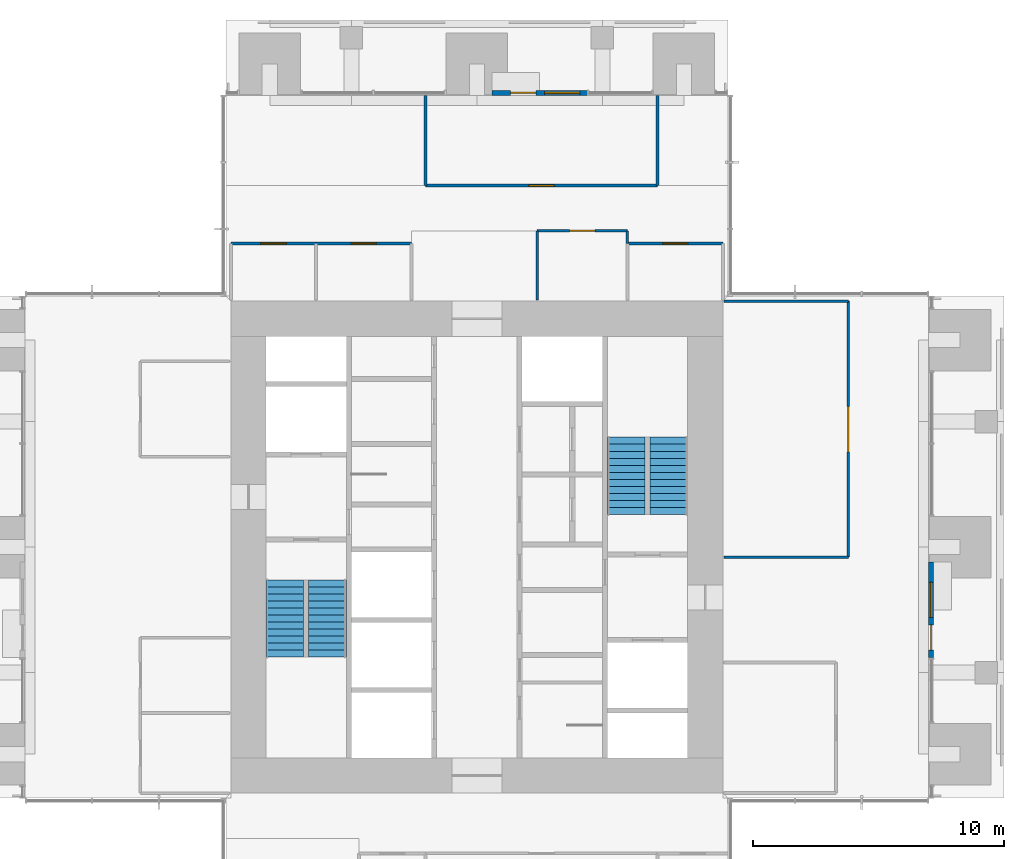
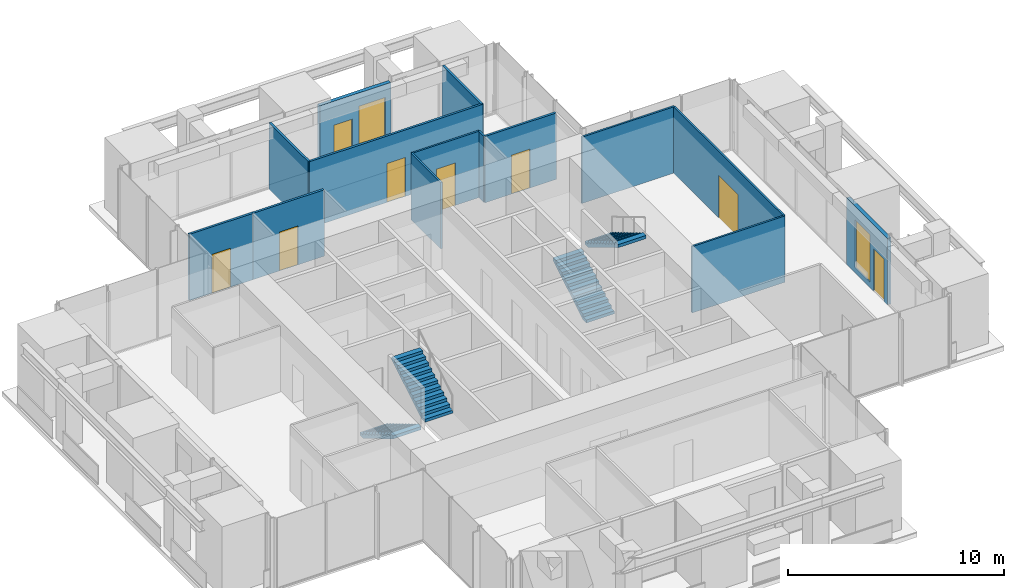
# One storey, part 14 of 17: 14 walls, 8 doors, 4 stair flights, 2 windows, 10 openings, 2 elements without a shape of their own.
"""IFC4 building model written with IfcOpenShell, lengths in metres."""

import ifcopenshell
import ifcopenshell.guid

model = None  # the IFC model being written
_history = None  # IfcOwnerHistory: only IFC2X3 demands one
_inside = {}  # id of a spatial element -> (the spatial element, [elements in it])
_under = {}  # id of a project, library or spatial element -> (it, [spatial elements below it])
_declared = {}  # id of a project -> (the project, [libraries it declares])
_typed = {}  # id of a type object -> (the type object, [elements of that type])
_made_of = {}  # id of a material, layer set ... -> (it, [elements and type objects made of it])


def new_model(schema):
    """Start an empty IFC model of exactly this schema.

    Asked for "IFC4X3", IfcOpenShell would pick the latest addendum, in which some entities
    have other attributes; the version numbers below select the first issue.
    IFC2X3 requires an IfcOwnerHistory on every rooted entity: one is made here for all.
    """
    global model, _history
    if schema == "IFC4X3":
        model = ifcopenshell.file(schema_version=(4, 3, 0, 0))
    else:
        model = ifcopenshell.file(schema=schema)
    _inside.clear()
    _under.clear()
    _declared.clear()
    _typed.clear()
    _made_of.clear()
    _history = None
    if model.schema == "IFC2X3":
        org = make("IfcOrganization", Name="unknown")
        user = make(
            "IfcPersonAndOrganization",
            ThePerson=make("IfcPerson", FamilyName="unknown"),
            TheOrganization=org,
        )
        app = make(
            "IfcApplication",
            ApplicationDeveloper=org,
            Version="unknown",
            ApplicationFullName="unknown",
            ApplicationIdentifier="unknown",
        )
        _history = make(
            "IfcOwnerHistory",
            OwningUser=user,
            OwningApplication=app,
            ChangeAction="ADDED",
            CreationDate=0,
        )
    return model


def make(cls, **values):
    """One entity of the class cls with the attributes given. An attribute that is None is left unset."""
    return model.create_entity(
        cls, **{name: value for name, value in values.items() if value is not None}
    )


def rooted(cls, **values):
    """An entity with a GlobalId (a new one), such as an element, a storey or a relation."""
    return make(cls, GlobalId=ifcopenshell.guid.new(), OwnerHistory=_history, **values)


def si_unit(unit_type, name, prefix=None):
    """IfcSIUnit, for example si_unit("LENGTHUNIT", "METRE", prefix="MILLI")."""
    return make("IfcSIUnit", UnitType=unit_type, Prefix=prefix, Name=name)


def assignment(units):
    """IfcUnitAssignment: the units of a project."""
    return None if units is None else make("IfcUnitAssignment", Units=units)


def point(xyz):
    """IfcCartesianPoint."""
    return None if xyz is None else make("IfcCartesianPoint", Coordinates=xyz)


def direction(xyz):
    """IfcDirection."""
    return None if xyz is None else make("IfcDirection", DirectionRatios=xyz)


def frame(location, z_axis=None, x_axis=None):
    """IfcAxis2Placement3D, a coordinate frame: its origin and axes. An axis left out is left unset."""
    return make(
        "IfcAxis2Placement3D",
        Location=point(location),
        Axis=direction(z_axis),
        RefDirection=direction(x_axis),
    )


def frame_2d(location, x_axis=None):
    """IfcAxis2Placement2D, a coordinate frame in the plane: its origin and x axis."""
    return make(
        "IfcAxis2Placement2D", Location=point(location), RefDirection=direction(x_axis)
    )


def origin():
    """The frame at (0, 0, 0) with its axes left unset."""
    return frame((0.0, 0.0, 0.0))


def place(relative_to, where):
    """IfcLocalPlacement: puts the frame where relative to a parent placement (None: the world)."""
    return make(
        "IfcLocalPlacement", PlacementRelTo=relative_to, RelativePlacement=where
    )


def context(
    kind, dimensions, precision=None, world=None, true_north=None, identifier=None
):
    """IfcGeometricRepresentationContext, for example the 3D "Model" context."""
    return make(
        "IfcGeometricRepresentationContext",
        ContextIdentifier=identifier,
        ContextType=kind,
        CoordinateSpaceDimension=dimensions,
        Precision=precision,
        WorldCoordinateSystem=world,
        TrueNorth=true_north,
    )


def subcontext(parent, identifier, kind, view, scale=None):
    """IfcGeometricRepresentationSubContext, for example "Body" below "Model"."""
    return make(
        "IfcGeometricRepresentationSubContext",
        ContextIdentifier=identifier,
        ContextType=kind,
        ParentContext=parent,
        TargetScale=scale,
        TargetView=view,
    )


def project(units=None, contexts=None):
    """IfcProject with its units and contexts."""
    return rooted(
        "IfcProject",
        Name="project",
        RepresentationContexts=contexts,
        UnitsInContext=assignment(units),
    )


def spatial(cls, under=None, at=None, **own):
    """A site, building, storey or space (cls), placed at a placement, below another one or the project."""
    s = rooted(cls, ObjectPlacement=at, **own)
    if under is not None:
        _under.setdefault(under.id(), (under, []))[1].append(s)
    return s


def polyline(points):
    """IfcPolyline through the points."""
    return make("IfcPolyline", Points=[point(p) for p in points])


def profile(cls, at=None, kind="AREA", **sizes):
    """A parametric profile (cls). Its sizes go by their IFC names, for example OverallWidth=200.0."""
    return make(cls, ProfileType=kind, Position=at, **sizes)


def rectangle(**sizes):
    """IfcRectangleProfileDef."""
    return profile("IfcRectangleProfileDef", **sizes)


def outline(outer, holes=None, kind="AREA"):
    """IfcArbitraryClosedProfileDef: a profile drawn as a closed curve; with holes, ...WithVoids."""
    if holes is None:
        return make("IfcArbitraryClosedProfileDef", ProfileType=kind, OuterCurve=outer)
    return make(
        "IfcArbitraryProfileDefWithVoids",
        ProfileType=kind,
        OuterCurve=outer,
        InnerCurves=holes,
    )


def extrude(swept, where, along, depth):
    """IfcExtrudedAreaSolid: the profile swept, set in the frame where, extruded along a direction by depth."""
    return make(
        "IfcExtrudedAreaSolid",
        SweptArea=swept,
        Position=where,
        ExtrudedDirection=direction(along),
        Depth=depth,
    )


def shape(context_of_items, identifier, shape_type, items):
    """IfcShapeRepresentation: the items that make up one representation, for example the "Body"."""
    return make(
        "IfcShapeRepresentation",
        ContextOfItems=context_of_items,
        RepresentationIdentifier=identifier,
        RepresentationType=shape_type,
        Items=items,
    )


def material(Name=None, Category=None):
    """IfcMaterial."""
    return make("IfcMaterial", Name=Name, Category=Category)


def layer(
    of_material, thickness, ventilated=None, Name=None, Category=None, Priority=None
):
    """IfcMaterialLayer: one layer of a wall or slab, of a material (None: an air gap)."""
    return make(
        "IfcMaterialLayer",
        Material=of_material,
        LayerThickness=thickness,
        IsVentilated=ventilated,
        Name=Name,
        Category=Category,
        Priority=Priority,
    )


def layer_set(layers, Name=None):
    """IfcMaterialLayerSet."""
    return make("IfcMaterialLayerSet", MaterialLayers=layers, LayerSetName=Name)


def made_of(thing, what):
    """Note that an element or type object is made of a material, layer set ...; save() writes the relation."""
    if what is not None:
        _made_of.setdefault(what.id(), (what, []))[1].append(thing)
    return thing


def type_object(cls, material=None, **own):
    """A type object (cls), such as IfcWallType, which elements share."""
    return made_of(rooted(cls, **own), material)


def element(
    cls,
    number,
    at=None,
    inside=None,
    cuts=None,
    type_object=None,
    material=None,
    context=None,
    identifier="Body",
    shape_type=None,
    held_by="IfcProductDefinitionShape",
    body=None,
    shapes=None,
    **own,
):
    """One element of the class cls, such as IfcWall. Its Tag is "e" and its number.

    at: its placement. inside: the storey or other place that contains it. cuts: it is an
    opening in that element (IfcRelVoidsElement). A single representation is given by context,
    identifier, shape_type and body (its items); several are given by shapes. held_by: the class
    of the entity that holds the representations. save() writes the other relations.
    """
    e = rooted(cls, Tag="e%d" % number, ObjectPlacement=at, **own)
    if body is not None:
        shapes = [shape(context, identifier, shape_type, body)]
    if shapes is not None:
        e.Representation = make(held_by, Representations=shapes)
    if inside is not None:
        _inside.setdefault(inside.id(), (inside, []))[1].append(e)
    if cuts is not None:
        rooted(
            "IfcRelVoidsElement", RelatingBuildingElement=cuts, RelatedOpeningElement=e
        )
    if type_object is not None:
        _typed.setdefault(type_object.id(), (type_object, []))[1].append(e)
    return made_of(e, material)


def fill(opening, filler):
    """IfcRelFillsElement: the door or window that sits in an opening."""
    return rooted(
        "IfcRelFillsElement",
        RelatingOpeningElement=opening,
        RelatedBuildingElement=filler,
    )


def aggregate(whole, parts):
    """IfcRelAggregates: a whole, such as a stair, and the parts it consists of."""
    return rooted("IfcRelAggregates", RelatingObject=whole, RelatedObjects=parts)


def save(model, path):
    """Write the relations noted so far, then the file.

    IfcRelAggregates (storeys below a building ...), IfcRelContainedInSpatialStructure (elements
    in a storey), IfcRelDefinesByType, IfcRelAssociatesMaterial and IfcRelDeclares: one each for
    every whole, place, type object, material and project.
    """
    for whole, parts in _under.values():
        aggregate(whole, parts)
    for where, things in _inside.values():
        rooted(
            "IfcRelContainedInSpatialStructure",
            RelatedElements=things,
            RelatingStructure=where,
        )
    for kind, things in _typed.values():
        rooted("IfcRelDefinesByType", RelatedObjects=things, RelatingType=kind)
    for what, things in _made_of.values():
        rooted("IfcRelAssociatesMaterial", RelatedObjects=things, RelatingMaterial=what)
    for by, libraries in _declared.values():
        rooted("IfcRelDeclares", RelatingContext=by, RelatedDefinitions=libraries)
    model.write(path)


model = new_model("IFC4")

# Units and contexts
model_context = context("Model", 3, precision=1e-05, world=origin(), true_north=direction((0.0, 1.0)))
body_context = subcontext(model_context, "Body", "Model", "MODEL_VIEW")
ifc_project = project(units=[si_unit("LENGTHUNIT", "METRE"), si_unit("AREAUNIT", "SQUARE_METRE"), si_unit("VOLUMEUNIT", "CUBIC_METRE"), si_unit("PLANEANGLEUNIT", "RADIAN"), si_unit("MASSUNIT", "GRAM", prefix="KILO")], contexts=[model_context])

# Site, building, storey
site_placement = place(None, origin())
site = spatial("IfcSite", under=ifc_project, at=site_placement, CompositionType="ELEMENT")
building_placement = place(site_placement, origin())
building = spatial("IfcBuilding", under=site, at=building_placement, Name="Svetlomir Tower", CompositionType="ELEMENT")
storey_placement = place(building_placement, frame((0.0, 0.0, 218.5)))
storey = spatial("IfcBuildingStorey", under=building, at=storey_placement, Name="L52", CompositionType="ELEMENT", Elevation=218.5)

# Wall, openings, door, window
ifc_material_1 = material(Name="Bronze anodised aluminium glazed screen", Category="aluminium")
ifc_layer_1 = layer(ifc_material_1, 0.199951171875)
ifc_layer_set_1 = layer_set([ifc_layer_1], Name="Bronze anodised aluminium glazed screen")
wall_type_1 = type_object("IfcWallType", Name="BALCONY SCREEN WALL 200", PredefinedType="USERDEFINED", material=ifc_layer_set_1)
wall_1_placement = place(storey_placement, frame((39.10009765625, 16.60009765625, 0.0), z_axis=(0.0, 0.0, 1.0), x_axis=(0.0, 1.0, 0.0)))
wall_1 = element("IfcWall", 1, at=wall_1_placement, inside=storey, type_object=wall_type_1, Name="Balcony screen E", ObjectType="GLAZED SCREEN", PredefinedType="USERDEFINED", context=body_context, shape_type="SweptSolid", body=[
    extrude(rectangle(XDim=3.7998046875, YDim=0.199951171875, at=frame_2d((1.89990234375, 0.0))), origin(), (0.0, 0.0, 1.0), 3.75),
])
opening_1_placement = place(wall_1_placement, frame((0.300048828125, 0.0, 0.0)))
opening_1 = element("IfcOpeningElement", 2, at=opening_1_placement, cuts=wall_1, Name="Opening BD", PredefinedType="OPENING", context=body_context, shape_type="SweptSolid", body=[
    extrude(rectangle(XDim=1.0, YDim=2.39990234375, at=frame_2d((0.5, 1.199951171875))), frame((0.0, 0.10986328125, 0.0), z_axis=(0.0, -1.0, 0.0), x_axis=(1.0, 0.0, 0.0)), (0.0, 0.0, 1.0), 0.219970703125),
])
opening_2_placement = place(wall_1_placement, frame((1.60009765625, 0.0, 0.300048828125)))
opening_2 = element("IfcOpeningElement", 3, at=opening_2_placement, cuts=wall_1, Name="Opening WS2", PredefinedType="OPENING", context=body_context, shape_type="SweptSolid", body=[
    extrude(rectangle(XDim=1.39990234375, YDim=2.699951171875, at=frame_2d((0.699951171875, 1.35009765625))), frame((0.0, 0.10986328125, 0.0), z_axis=(0.0, -1.0, 0.0), x_axis=(1.0, 0.0, 0.0)), (0.0, 0.0, 1.0), 0.219970703125),
])
ifc_material_2 = material(Name="Bronze anodised aluminium glazed door", Category="aluminium")
door_type_1 = type_object("IfcDoorType", Name="BALCONY DOOR BD 1000x2400", OperationType="SINGLE_SWING_LEFT", PredefinedType="DOOR", material=ifc_material_2)
door_1_placement = place(opening_1_placement, origin())
door_1 = element("IfcDoor", 4, at=door_1_placement, inside=storey, type_object=door_type_1, Name="Balcony screen E door", OperationType="SINGLE_SWING_LEFT", OverallHeight=2.39990234375, OverallWidth=1.0, PredefinedType="DOOR", context=body_context, shape_type="SweptSolid", body=[
    extrude(rectangle(XDim=1.0, YDim=2.39990234375, at=frame_2d((0.5, 1.199951171875))), frame((0.0, 0.02490234375, 0.0), z_axis=(0.0, -1.0, 0.0), x_axis=(1.0, 0.0, 0.0)), (0.0, 0.0, 1.0), 0.050048828125),
])
fill(opening_1, door_1)
ifc_material_3 = material(Name="Bronze anodised aluminium window", Category="aluminium")
window_type = type_object("IfcWindowType", Name="SCREEN WINDOW WS2 1400x2700", PartitioningType="SINGLE_PANEL", PredefinedType="WINDOW", material=ifc_material_3)
window_1_placement = place(opening_2_placement, origin())
window_1 = element("IfcWindow", 5, at=window_1_placement, inside=storey, type_object=window_type, Name="Balcony screen E window 1", OverallHeight=2.699951171875, OverallWidth=1.39990234375, PartitioningType="SINGLE_PANEL", PredefinedType="WINDOW", context=body_context, shape_type="SweptSolid", body=[
    extrude(rectangle(XDim=1.39990234375, YDim=2.699951171875, at=frame_2d((0.699951171875, 1.35009765625))), frame((0.0, 0.030029296875, 0.0), z_axis=(0.0, -1.0, 0.0), x_axis=(1.0, 0.0, 0.0)), (0.0, 0.0, 1.0), 0.06005859375),
])
fill(opening_2, window_1)

wall_2_placement = place(storey_placement, frame((25.39990234375, 39.10009765625, 0.0), z_axis=(0.0, 0.0, 1.0), x_axis=(-1.0, 0.0, 0.0)))
wall_2 = element("IfcWall", 6, at=wall_2_placement, inside=storey, type_object=wall_type_1, Name="Balcony screen N", ObjectType="GLAZED SCREEN", PredefinedType="USERDEFINED", context=body_context, shape_type="SweptSolid", body=[
    extrude(rectangle(XDim=3.7998046875, YDim=0.199951171875, at=frame_2d((1.89990234375, 0.0))), origin(), (0.0, 0.0, 1.0), 3.75),
])
opening_3_placement = place(wall_2_placement, frame((2.050048828125, 0.0, 0.0)))
opening_3 = element("IfcOpeningElement", 7, at=opening_3_placement, cuts=wall_2, Name="Opening BD", PredefinedType="OPENING", context=body_context, shape_type="SweptSolid", body=[
    extrude(rectangle(XDim=1.0, YDim=2.39990234375, at=frame_2d((0.5, 1.199951171875))), frame((0.0, 0.10986328125, 0.0), z_axis=(0.0, -1.0, 0.0), x_axis=(1.0, 0.0, 0.0)), (0.0, 0.0, 1.0), 0.219970703125),
])
opening_4_placement = place(wall_2_placement, frame((0.300048828125, 0.0, 0.300048828125)))
opening_4 = element("IfcOpeningElement", 8, at=opening_4_placement, cuts=wall_2, Name="Opening WS2", PredefinedType="OPENING", context=body_context, shape_type="SweptSolid", body=[
    extrude(rectangle(XDim=1.39990234375, YDim=2.699951171875, at=frame_2d((0.699951171875, 1.35009765625))), frame((0.0, 0.10986328125, 0.0), z_axis=(0.0, -1.0, 0.0), x_axis=(1.0, 0.0, 0.0)), (0.0, 0.0, 1.0), 0.219970703125),
])
door_2_placement = place(opening_3_placement, origin())
door_2 = element("IfcDoor", 9, at=door_2_placement, inside=storey, type_object=door_type_1, Name="Balcony screen N door", OperationType="SINGLE_SWING_LEFT", OverallHeight=2.39990234375, OverallWidth=1.0, PredefinedType="DOOR", context=body_context, shape_type="SweptSolid", body=[
    extrude(rectangle(XDim=1.0, YDim=2.39990234375, at=frame_2d((0.5, 1.199951171875))), frame((0.0, 0.02490234375, 0.0), z_axis=(0.0, -1.0, 0.0), x_axis=(1.0, 0.0, 0.0)), (0.0, 0.0, 1.0), 0.050048828125),
])
fill(opening_3, door_2)
window_2_placement = place(opening_4_placement, origin())
window_2 = element("IfcWindow", 10, at=window_2_placement, inside=storey, type_object=window_type, Name="Balcony screen N window 1", OverallHeight=2.699951171875, OverallWidth=1.39990234375, PartitioningType="SINGLE_PANEL", PredefinedType="WINDOW", context=body_context, shape_type="SweptSolid", body=[
    extrude(rectangle(XDim=1.39990234375, YDim=2.699951171875, at=frame_2d((0.699951171875, 1.35009765625))), frame((0.0, 0.030029296875, 0.0), z_axis=(0.0, -1.0, 0.0), x_axis=(1.0, 0.0, 0.0)), (0.0, 0.0, 1.0), 0.06005859375),
])
fill(opening_4, window_2)

# Wall
ifc_material_4 = material(Name="Framed laminated glass partition", Category="glass")
ifc_layer_2 = layer(ifc_material_4, 0.10009765625)
ifc_layer_set_2 = layer_set([ifc_layer_2], Name="Framed laminated glass partition")
wall_type_2 = type_object("IfcWallType", Name="GLAZED PARTITION 100", PredefinedType="PARTITIONING", material=ifc_layer_set_2)
wall_3_placement = place(storey_placement, frame((23.39990234375, 30.85009765625, 0.0), z_axis=(0.0, 0.0, 1.0), x_axis=(0.0, 1.0, 0.0)))
element("IfcWall", 11, at=wall_3_placement, inside=storey, type_object=wall_type_2, Name="Glazed partition L52", PredefinedType="PARTITIONING", context=body_context, shape_type="SweptSolid", body=[
    extrude(rectangle(XDim=2.75, YDim=0.10009765625, at=frame_2d((1.375, 0.0))), origin(), (0.0, 0.0, 1.0), 3.75),
])

# Wall, opening, door
wall_4_placement = place(storey_placement, frame((23.39990234375, 33.60009765625, 0.0), z_axis=(0.0, 0.0, 1.0), x_axis=(1.0, 0.0, 0.0)))
wall_4 = element("IfcWall", 12, at=wall_4_placement, inside=storey, type_object=wall_type_2, Name="Glazed partition L52", PredefinedType="PARTITIONING", context=body_context, shape_type="SweptSolid", body=[
    extrude(rectangle(XDim=3.60009765625, YDim=0.10009765625, at=frame_2d((1.800048828125, 0.0))), origin(), (0.0, 0.0, 1.0), 3.75),
])
opening_5_placement = place(wall_4_placement, frame((1.300048828125, 0.0, 0.0)))
opening_5 = element("IfcOpeningElement", 13, at=opening_5_placement, cuts=wall_4, Name="Opening DG", PredefinedType="OPENING", context=body_context, shape_type="SweptSolid", body=[
    extrude(rectangle(XDim=1.0, YDim=2.39990234375, at=frame_2d((0.5, 1.199951171875))), frame((0.0, 0.06005859375, 0.0), z_axis=(0.0, -1.0, 0.0), x_axis=(1.0, 0.0, 0.0)), (0.0, 0.0, 1.0), 0.1201171875),
])
ifc_material_5 = material(Name="Framed laminated glass door", Category="glass")
door_type_2 = type_object("IfcDoorType", Name="GLAZED DOOR DG 1000x2400", OperationType="SINGLE_SWING_LEFT", PredefinedType="DOOR", material=ifc_material_5)
door_3_placement = place(opening_5_placement, origin())
door_3 = element("IfcDoor", 14, at=door_3_placement, inside=storey, type_object=door_type_2, Name="Meeting room, 6 seats door L52", OperationType="SINGLE_SWING_RIGHT", OverallHeight=2.39990234375, OverallWidth=1.0, PredefinedType="DOOR", context=body_context, shape_type="SweptSolid", body=[
    extrude(rectangle(XDim=1.0, YDim=2.39990234375, at=frame_2d((0.5, 1.199951171875))), frame((0.0, 0.02490234375, 0.0), z_axis=(0.0, -1.0, 0.0), x_axis=(1.0, 0.0, 0.0)), (0.0, 0.0, 1.0), 0.050048828125),
])
fill(opening_5, door_3)

# Walls
wall_5_placement = place(storey_placement, frame((27.0, 33.10009765625, 0.0), z_axis=(0.0, 0.0, 1.0), x_axis=(0.0, 1.0, 0.0)))
element("IfcWall", 15, at=wall_5_placement, inside=storey, type_object=wall_type_2, Name="Glazed partition L52", PredefinedType="PARTITIONING", context=body_context, shape_type="SweptSolid", body=[
    extrude(rectangle(XDim=0.5, YDim=0.10009765625, at=frame_2d((0.25, 0.0))), origin(), (0.0, 0.0, 1.0), 3.75),
])
for number, where, z_axis, x_axis, name in (
    (16, (30.85009765625, 20.60009765625, 0.0), (0.0, 0.0, 1.0), (1.0, 0.0, 0.0), "Glazed partition L52"),
    (17, (30.85009765625, 30.800048828125, 0.0), (0.0, 0.0, 1.0), (1.0, 0.0, 0.0), "Glazed partition L52"),
):
    element("IfcWall", number, at=place(storey_placement, frame(where, z_axis=z_axis, x_axis=x_axis)), inside=storey, type_object=wall_type_2, Name=name, PredefinedType="PARTITIONING", context=body_context, shape_type="SweptSolid", body=[
        extrude(rectangle(XDim=4.949951171875, YDim=0.10009765625, at=frame_2d((2.47509765625, 0.0))), origin(), (0.0, 0.0, 1.0), 3.75),
    ])

# Wall, opening, door
wall_6_placement = place(storey_placement, frame((35.800048828125, 20.60009765625, 0.0), z_axis=(0.0, 0.0, 1.0), x_axis=(0.0, 1.0, 0.0)))
wall_6 = element("IfcWall", 18, at=wall_6_placement, inside=storey, type_object=wall_type_2, Name="Glazed partition L52", PredefinedType="PARTITIONING", context=body_context, shape_type="SweptSolid", body=[
    extrude(rectangle(XDim=10.199951171875, YDim=0.10009765625, at=frame_2d((5.10009765625, 0.0))), origin(), (0.0, 0.0, 1.0), 3.75),
])
opening_6_placement = place(wall_6_placement, frame((4.199951171875, 0.0, 0.0)))
opening_6 = element("IfcOpeningElement", 19, at=opening_6_placement, cuts=wall_6, Name="Opening DD", PredefinedType="OPENING", context=body_context, shape_type="SweptSolid", body=[
    extrude(rectangle(XDim=1.800048828125, YDim=2.39990234375, at=frame_2d((0.89990234375, 1.199951171875))), frame((0.0, 0.06005859375, 0.0), z_axis=(0.0, -1.0, 0.0), x_axis=(1.0, 0.0, 0.0)), (0.0, 0.0, 1.0), 0.1201171875),
])
ifc_material_6 = material(Name="Timber door", Category="wood")
door_type_3 = type_object("IfcDoorType", Name="DOOR DD 1800x2400", OperationType="DOUBLE_DOOR_SINGLE_SWING", PredefinedType="DOOR", material=ifc_material_6)
door_4_placement = place(opening_6_placement, origin())
door_4 = element("IfcDoor", 20, at=door_4_placement, inside=storey, type_object=door_type_3, Name="Grants committee room, 16 seats door L52", OperationType="DOUBLE_DOOR_SINGLE_SWING", OverallHeight=2.39990234375, OverallWidth=1.800048828125, PredefinedType="DOOR", context=body_context, shape_type="SweptSolid", body=[
    extrude(rectangle(XDim=1.800048828125, YDim=2.39990234375, at=frame_2d((0.89990234375, 1.199951171875))), frame((0.0, 0.02490234375, 0.0), z_axis=(0.0, -1.0, 0.0), x_axis=(1.0, 0.0, 0.0)), (0.0, 0.0, 1.0), 0.050048828125),
])
fill(opening_6, door_4)

ifc_material_7 = material(Name="Gypsum board on steel studs", Category="steel")
ifc_layer_3 = layer(ifc_material_7, 0.1201171875)
ifc_layer_set_3 = layer_set([ifc_layer_3], Name="Gypsum board on steel studs")
wall_type_3 = type_object("IfcWallType", Name="PARTITION 120", PredefinedType="PARTITIONING", material=ifc_layer_set_3)
wall_7_placement = place(storey_placement, frame((11.199951171875, 33.10009765625, 0.0), z_axis=(0.0, 0.0, 1.0), x_axis=(1.0, 0.0, 0.0)))
wall_7 = element("IfcWall", 21, at=wall_7_placement, inside=storey, type_object=wall_type_3, Name="Partition L52", PredefinedType="PARTITIONING", context=body_context, shape_type="SweptSolid", body=[
    extrude(rectangle(XDim=3.400146484375, YDim=0.1201171875, at=frame_2d((1.7001953125, 0.0))), origin(), (0.0, 0.0, 1.0), 3.75),
])
opening_7_placement = place(wall_7_placement, frame((1.199951171875, 0.0, 0.0)))
opening_7 = element("IfcOpeningElement", 22, at=opening_7_placement, cuts=wall_7, Name="Opening DR", PredefinedType="OPENING", context=body_context, shape_type="SweptSolid", body=[
    extrude(rectangle(XDim=1.0, YDim=2.199951171875, at=frame_2d((0.5, 1.10009765625))), frame((0.0, 0.070068359375, 0.0), z_axis=(0.0, -1.0, 0.0), x_axis=(1.0, 0.0, 0.0)), (0.0, 0.0, 1.0), 0.14013671875),
])
ifc_material_8 = material(Name="Timber door, glazed side light", Category="wood")
door_type_4 = type_object("IfcDoorType", Name="DOOR DR 1000x2200", OperationType="SINGLE_SWING_LEFT", PredefinedType="DOOR", material=ifc_material_8)
door_5_placement = place(opening_7_placement, origin())
door_5 = element("IfcDoor", 23, at=door_5_placement, inside=storey, type_object=door_type_4, Name="Frame store door L52", OperationType="SINGLE_SWING_RIGHT", OverallHeight=2.199951171875, OverallWidth=1.0, PredefinedType="DOOR", context=body_context, shape_type="SweptSolid", body=[
    extrude(rectangle(XDim=1.0, YDim=2.199951171875, at=frame_2d((0.5, 1.10009765625))), frame((0.0, 0.02490234375, 0.0), z_axis=(0.0, -1.0, 0.0), x_axis=(1.0, 0.0, 0.0)), (0.0, 0.0, 1.0), 0.050048828125),
])
fill(opening_7, door_5)

wall_8_placement = place(storey_placement, frame((14.60009765625, 33.10009765625, 0.0), z_axis=(0.0, 0.0, 1.0), x_axis=(1.0, 0.0, 0.0)))
wall_8 = element("IfcWall", 24, at=wall_8_placement, inside=storey, type_object=wall_type_3, Name="Partition L52", PredefinedType="PARTITIONING", context=body_context, shape_type="SweptSolid", body=[
    extrude(rectangle(XDim=3.7998046875, YDim=0.1201171875, at=frame_2d((1.89990234375, 0.0))), origin(), (0.0, 0.0, 1.0), 3.75),
])
opening_8_placement = place(wall_8_placement, frame((1.39990234375, 0.0, 0.0)))
opening_8 = element("IfcOpeningElement", 25, at=opening_8_placement, cuts=wall_8, Name="Opening DR", PredefinedType="OPENING", context=body_context, shape_type="SweptSolid", body=[
    extrude(rectangle(XDim=1.0, YDim=2.199951171875, at=frame_2d((0.5, 1.10009765625))), frame((0.0, 0.070068359375, 0.0), z_axis=(0.0, -1.0, 0.0), x_axis=(1.0, 0.0, 0.0)), (0.0, 0.0, 1.0), 0.14013671875),
])
door_6_placement = place(opening_8_placement, origin())
door_6 = element("IfcDoor", 26, at=door_6_placement, inside=storey, type_object=door_type_4, Name="File store door L52", OperationType="SINGLE_SWING_LEFT", OverallHeight=2.199951171875, OverallWidth=1.0, PredefinedType="DOOR", context=body_context, shape_type="SweptSolid", body=[
    extrude(rectangle(XDim=1.0, YDim=2.199951171875, at=frame_2d((0.5, 1.10009765625))), frame((0.0, 0.02490234375, 0.0), z_axis=(0.0, -1.0, 0.0), x_axis=(1.0, 0.0, 0.0)), (0.0, 0.0, 1.0), 0.050048828125),
])
fill(opening_8, door_6)

# Wall
wall_9_placement = place(storey_placement, frame((18.949951171875, 35.39990234375, 0.0), z_axis=(0.0, 0.0, 1.0), x_axis=(0.0, 1.0, 0.0)))
element("IfcWall", 27, at=wall_9_placement, inside=storey, type_object=wall_type_3, Name="Partition L52", PredefinedType="PARTITIONING", context=body_context, shape_type="SweptSolid", body=[
    extrude(rectangle(XDim=3.60009765625, YDim=0.1201171875, at=frame_2d((1.800048828125, 0.0))), origin(), (0.0, 0.0, 1.0), 3.75),
])

# Wall, opening, door
wall_10_placement = place(storey_placement, frame((18.949951171875, 35.39990234375, 0.0), z_axis=(0.0, 0.0, 1.0), x_axis=(1.0, 0.0, 0.0)))
wall_10 = element("IfcWall", 28, at=wall_10_placement, inside=storey, type_object=wall_type_3, Name="Partition L52", PredefinedType="PARTITIONING", context=body_context, shape_type="SweptSolid", body=[
    extrude(rectangle(XDim=9.25, YDim=0.1201171875, at=frame_2d((4.625, 0.0))), origin(), (0.0, 0.0, 1.0), 3.75),
])
opening_9_placement = place(wall_10_placement, frame((4.125, 0.0, 0.0)))
opening_9 = element("IfcOpeningElement", 29, at=opening_9_placement, cuts=wall_10, Name="Opening DR", PredefinedType="OPENING", context=body_context, shape_type="SweptSolid", body=[
    extrude(rectangle(XDim=1.0, YDim=2.199951171875, at=frame_2d((0.5, 1.10009765625))), frame((0.0, 0.070068359375, 0.0), z_axis=(0.0, -1.0, 0.0), x_axis=(1.0, 0.0, 0.0)), (0.0, 0.0, 1.0), 0.14013671875),
])
door_7_placement = place(opening_9_placement, origin())
door_7 = element("IfcDoor", 30, at=door_7_placement, inside=storey, type_object=door_type_4, Name="Conservation studio door L52", OperationType="SINGLE_SWING_RIGHT", OverallHeight=2.199951171875, OverallWidth=1.0, PredefinedType="DOOR", context=body_context, shape_type="SweptSolid", body=[
    extrude(rectangle(XDim=1.0, YDim=2.199951171875, at=frame_2d((0.5, 1.10009765625))), frame((0.0, 0.02490234375, 0.0), z_axis=(0.0, -1.0, 0.0), x_axis=(1.0, 0.0, 0.0)), (0.0, 0.0, 1.0), 0.050048828125),
])
fill(opening_9, door_7)

wall_11_placement = place(storey_placement, frame((27.0, 33.10009765625, 0.0), z_axis=(0.0, 0.0, 1.0), x_axis=(1.0, 0.0, 0.0)))
wall_11 = element("IfcWall", 31, at=wall_11_placement, inside=storey, type_object=wall_type_3, Name="Partition L52", PredefinedType="PARTITIONING", context=body_context, shape_type="SweptSolid", body=[
    extrude(rectangle(XDim=3.800048828125, YDim=0.1201171875, at=frame_2d((1.89990234375, 0.0))), origin(), (0.0, 0.0, 1.0), 3.75),
])
opening_10_placement = place(wall_11_placement, frame((1.39990234375, 0.0, 0.0)))
opening_10 = element("IfcOpeningElement", 32, at=opening_10_placement, cuts=wall_11, Name="Opening DR", PredefinedType="OPENING", context=body_context, shape_type="SweptSolid", body=[
    extrude(rectangle(XDim=1.0, YDim=2.199951171875, at=frame_2d((0.5, 1.10009765625))), frame((0.0, 0.070068359375, 0.0), z_axis=(0.0, -1.0, 0.0), x_axis=(1.0, 0.0, 0.0)), (0.0, 0.0, 1.0), 0.14013671875),
])
door_8_placement = place(opening_10_placement, origin())
door_8 = element("IfcDoor", 33, at=door_8_placement, inside=storey, type_object=door_type_4, Name="Print and copy room door L52", OperationType="SINGLE_SWING_LEFT", OverallHeight=2.199951171875, OverallWidth=1.0, PredefinedType="DOOR", context=body_context, shape_type="SweptSolid", body=[
    extrude(rectangle(XDim=1.0, YDim=2.199951171875, at=frame_2d((0.5, 1.10009765625))), frame((0.0, 0.02490234375, 0.0), z_axis=(0.0, -1.0, 0.0), x_axis=(1.0, 0.0, 0.0)), (0.0, 0.0, 1.0), 0.050048828125),
])
fill(opening_10, door_8)

# Wall
wall_12_placement = place(storey_placement, frame((28.199951171875, 35.39990234375, 0.0), z_axis=(0.0, 0.0, 1.0), x_axis=(0.0, 1.0, 0.0)))
element("IfcWall", 34, at=wall_12_placement, inside=storey, type_object=wall_type_3, Name="Partition L52", PredefinedType="PARTITIONING", context=body_context, shape_type="SweptSolid", body=[
    extrude(rectangle(XDim=3.60009765625, YDim=0.1201171875, at=frame_2d((1.800048828125, 0.0))), origin(), (0.0, 0.0, 1.0), 3.75),
])

# Stair, stair flights
ifc_material_9 = material(Name="Concrete C60/75", Category="concrete")
stair_type = type_object("IfcStairType", Name="EXIT STAIR 3200 RISE 4000", PredefinedType="HALF_TURN_STAIR", material=ifc_material_9)
stair_1_placement = place(storey_placement, origin())
stair_1 = element("IfcStair", 35, at=stair_1_placement, inside=storey, type_object=stair_type, Name="Stair S1 L52 to L53", PredefinedType="HALF_TURN_STAIR")
ifc_material_10 = material(Name="Concrete C60/75", Category="concrete")
stair_flight_type = type_object("IfcStairFlightType", Name="STAIR FLIGHT 1500 OF 12 RISERS", PredefinedType="STRAIGHT", material=ifc_material_10)
stair_flight_1_placement = place(storey_placement, frame((13.35009765625, 19.699951171875, 0.0), z_axis=(0.0, 0.0, 1.0), x_axis=(0.0, -1.0, 0.0)))
stair_flight_1 = element("IfcStairFlight", 36, at=stair_flight_1_placement, type_object=stair_flight_type, Name="S1 flight 1", NumberOfRisers=12, NumberOfTreads=11, PredefinedType="STRAIGHT", RiserHeight=0.166666667, TreadLength=0.28, context=body_context, shape_type="SweptSolid", body=[
    extrude(outline(polyline([(0.0, 0.0), (0.0, 0.166748046875), (0.280029296875, 0.166748046875), (0.280029296875, 0.333251953125), (0.56005859375, 0.333251953125), (0.56005859375, 0.5), (0.840087890625, 0.5), (0.840087890625, 0.666748046875), (1.1201171875, 0.666748046875), (1.1201171875, 0.833251953125), (1.39990234375, 0.833251953125), (1.39990234375, 1.0), (1.679931640625, 1.0), (1.679931640625, 1.166748046875), (1.9599609375, 1.166748046875), (1.9599609375, 1.333251953125), (2.239990234375, 1.333251953125), (2.239990234375, 1.5), (2.52001953125, 1.5), (2.52001953125, 1.666748046875), (2.800048828125, 1.666748046875), (2.800048828125, 1.833251953125), (3.080078125, 1.833251953125), (3.080078125, 2.0), (3.080078125, 1.658935546875), (0.29296875, 0.0), (0.0, 0.0)])), frame((0.0, 0.75, 0.0), z_axis=(0.0, -1.0, 0.0), x_axis=(1.0, 0.0, 0.0)), (0.0, 0.0, 1.0), 1.5),
])
stair_flight_2_placement = place(storey_placement, frame((15.050048828125, 16.6201171875, 2.0), z_axis=(0.0, 0.0, 1.0), x_axis=(0.0, 1.0, 0.0)))
stair_flight_2 = element("IfcStairFlight", 37, at=stair_flight_2_placement, type_object=stair_flight_type, Name="S1 flight 2", NumberOfRisers=12, NumberOfTreads=11, PredefinedType="STRAIGHT", RiserHeight=0.166666667, TreadLength=0.28, context=body_context, shape_type="SweptSolid", body=[
    extrude(outline(polyline([(0.0, 0.0), (0.0, 0.166748046875), (0.280029296875, 0.166748046875), (0.280029296875, 0.333251953125), (0.56005859375, 0.333251953125), (0.56005859375, 0.5), (0.840087890625, 0.5), (0.840087890625, 0.666748046875), (1.1201171875, 0.666748046875), (1.1201171875, 0.833251953125), (1.39990234375, 0.833251953125), (1.39990234375, 1.0), (1.679931640625, 1.0), (1.679931640625, 1.166748046875), (1.9599609375, 1.166748046875), (1.9599609375, 1.333251953125), (2.239990234375, 1.333251953125), (2.239990234375, 1.5), (2.52001953125, 1.5), (2.52001953125, 1.666748046875), (2.800048828125, 1.666748046875), (2.800048828125, 1.833251953125), (3.080078125, 1.833251953125), (3.080078125, 2.0), (3.080078125, 1.658935546875), (0.29296875, 0.0), (0.0, 0.0)])), frame((0.0, 0.75, 0.0), z_axis=(0.0, -1.0, 0.0), x_axis=(1.0, 0.0, 0.0)), (0.0, 0.0, 1.0), 1.5),
])
aggregate(stair_1, [stair_flight_1, stair_flight_2])

stair_2_placement = place(storey_placement, origin())
stair_2 = element("IfcStair", 38, at=stair_2_placement, inside=storey, type_object=stair_type, Name="Stair S2 L52 to L53", PredefinedType="HALF_TURN_STAIR")
stair_flight_3_placement = place(storey_placement, frame((26.949951171875, 22.300048828125, 0.0), z_axis=(0.0, 0.0, 1.0), x_axis=(0.0, 1.0, 0.0)))
stair_flight_3 = element("IfcStairFlight", 39, at=stair_flight_3_placement, type_object=stair_flight_type, Name="S2 flight 1", NumberOfRisers=12, NumberOfTreads=11, PredefinedType="STRAIGHT", RiserHeight=0.166666667, TreadLength=0.28, context=body_context, shape_type="SweptSolid", body=[
    extrude(outline(polyline([(0.0, 0.0), (0.0, 0.166748046875), (0.280029296875, 0.166748046875), (0.280029296875, 0.333251953125), (0.56005859375, 0.333251953125), (0.56005859375, 0.5), (0.840087890625, 0.5), (0.840087890625, 0.666748046875), (1.1201171875, 0.666748046875), (1.1201171875, 0.833251953125), (1.39990234375, 0.833251953125), (1.39990234375, 1.0), (1.679931640625, 1.0), (1.679931640625, 1.166748046875), (1.9599609375, 1.166748046875), (1.9599609375, 1.333251953125), (2.239990234375, 1.333251953125), (2.239990234375, 1.5), (2.52001953125, 1.5), (2.52001953125, 1.666748046875), (2.800048828125, 1.666748046875), (2.800048828125, 1.833251953125), (3.080078125, 1.833251953125), (3.080078125, 2.0), (3.080078125, 1.658935546875), (0.29296875, 0.0), (0.0, 0.0)])), frame((0.0, 0.75, 0.0), z_axis=(0.0, -1.0, 0.0), x_axis=(1.0, 0.0, 0.0)), (0.0, 0.0, 1.0), 1.5),
])
stair_flight_4_placement = place(storey_placement, frame((28.64990234375, 25.3798828125, 2.0), z_axis=(0.0, 0.0, 1.0), x_axis=(0.0, -1.0, 0.0)))
stair_flight_4 = element("IfcStairFlight", 40, at=stair_flight_4_placement, type_object=stair_flight_type, Name="S2 flight 2", NumberOfRisers=12, NumberOfTreads=11, PredefinedType="STRAIGHT", RiserHeight=0.166666667, TreadLength=0.28, context=body_context, shape_type="SweptSolid", body=[
    extrude(outline(polyline([(0.0, 0.0), (0.0, 0.166748046875), (0.280029296875, 0.166748046875), (0.280029296875, 0.333251953125), (0.56005859375, 0.333251953125), (0.56005859375, 0.5), (0.840087890625, 0.5), (0.840087890625, 0.666748046875), (1.1201171875, 0.666748046875), (1.1201171875, 0.833251953125), (1.39990234375, 0.833251953125), (1.39990234375, 1.0), (1.679931640625, 1.0), (1.679931640625, 1.166748046875), (1.9599609375, 1.166748046875), (1.9599609375, 1.333251953125), (2.239990234375, 1.333251953125), (2.239990234375, 1.5), (2.52001953125, 1.5), (2.52001953125, 1.666748046875), (2.800048828125, 1.666748046875), (2.800048828125, 1.833251953125), (3.080078125, 1.833251953125), (3.080078125, 2.0), (3.080078125, 1.658935546875), (0.29296875, 0.0), (0.0, 0.0)])), frame((0.0, 0.75, 0.0), z_axis=(0.0, -1.0, 0.0), x_axis=(1.0, 0.0, 0.0)), (0.0, 0.0, 1.0), 1.5),
])
aggregate(stair_2, [stair_flight_3, stair_flight_4])

save(model, "model.ifc")
